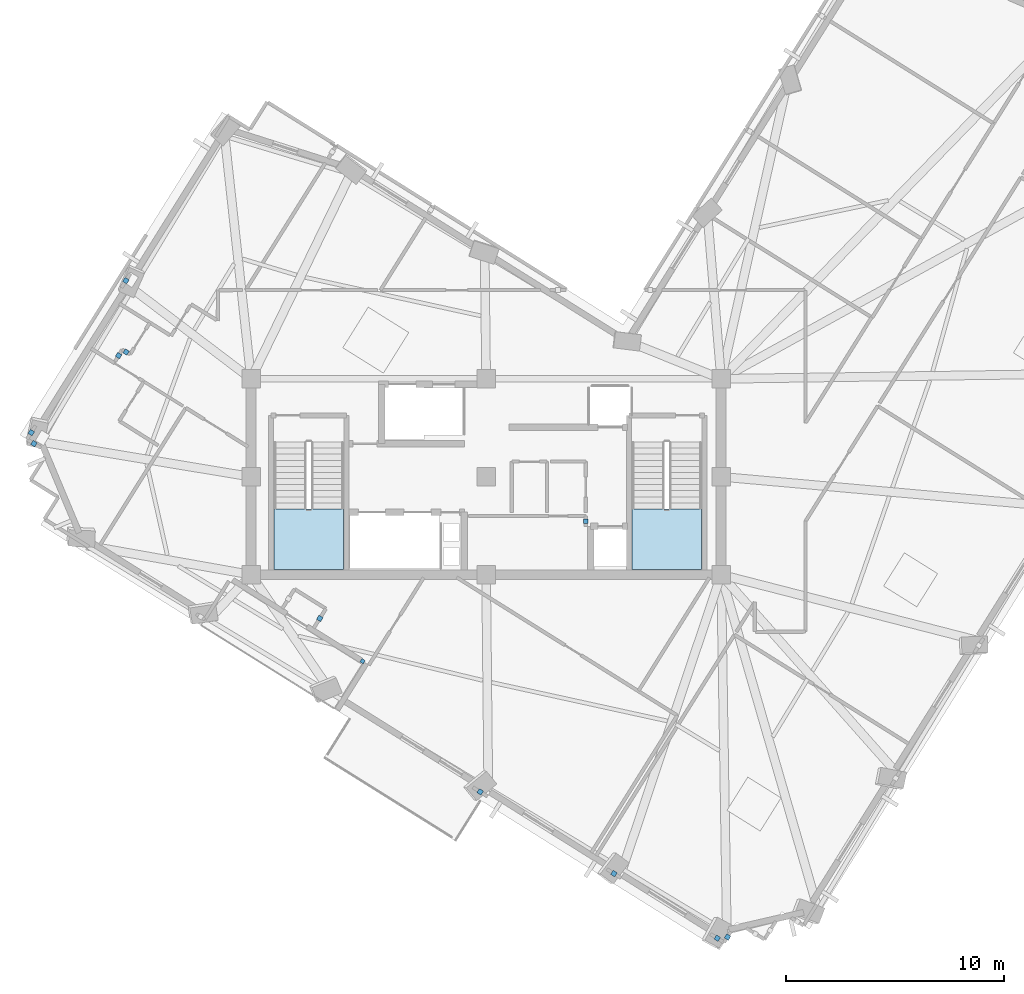
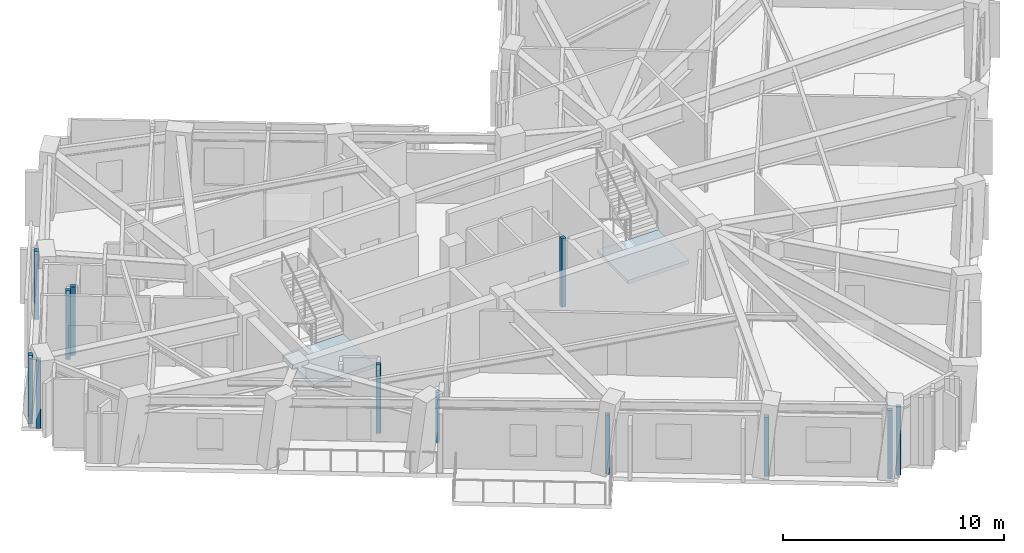
# One storey, part 3 of 12: 12 plates, 2 slabs, 2 elements without a shape of their own.
"""IFC4 building model written with IfcOpenShell, lengths in metres."""

from ifc_helpers import new_model, si_unit, direction, frame, origin, origin_2d, place, context, subcontext, project, spatial, polyline, rectangle, outline, extrude, material, layer, layer_set, type_object, element, aggregate, save


model = new_model("IFC4")

# Units and contexts
model_context = context("Model", 3, precision=1e-05, world=origin(), true_north=direction((0.0, 1.0)))
body_context = subcontext(model_context, "Body", "Model", "MODEL_VIEW")
ifc_project = project(units=[si_unit("LENGTHUNIT", "METRE"), si_unit("AREAUNIT", "SQUARE_METRE"), si_unit("VOLUMEUNIT", "CUBIC_METRE"), si_unit("PLANEANGLEUNIT", "RADIAN"), si_unit("MASSUNIT", "GRAM", prefix="KILO")], contexts=[model_context])

# Site, building, storey
site_placement = place(None, origin())
site = spatial("IfcSite", under=ifc_project, at=site_placement, CompositionType="ELEMENT")
building_placement = place(site_placement, origin())
building = spatial("IfcBuilding", under=site, at=building_placement, Name="Gaonmaruhae Medical Tower", CompositionType="ELEMENT")
storey_placement = place(building_placement, frame((0.0, 0.0, 272.60009765625)))
storey = spatial("IfcBuildingStorey", under=building, at=storey_placement, Name="L65", CompositionType="ELEMENT", Elevation=272.60009765625)

# Plates
ifc_material_1 = material(Name="Anodised aluminium 6063-T6", Category="aluminium")
ifc_layer_1 = layer(ifc_material_1, 0.011962890625)
ifc_layer_set_1 = layer_set([ifc_layer_1], Name="Anodised aluminium 6063-T6")
plate_type = type_object("IfcPlateType", Name="PP-01 Interior Partition Corner Stiffener Plate", PredefinedType="SHEET", material=ifc_layer_set_1)
plate_placement = place(storey_placement, frame((19.123291015625, 3.825439453125, 0.0), z_axis=(0.0, 0.0, 1.0), x_axis=(-0.847585331506, 0.530659123936, 0.0)))
element("IfcPlate", 1, at=plate_placement, inside=storey, type_object=plate_type, Name="L65 Partition End Jamb Post Plate PLT-L65-ENDP-TERB-0", PredefinedType="SHEET", context=body_context, shape_type="SweptSolid", body=[
    extrude(rectangle(XDim=0.179931640625, YDim=0.179931640625, at=origin_2d()), origin(), (0.0, 0.0, 1.0), 2.764892578125),
])
for number, where, z_axis, x_axis, name in (
    (2, (29.3798828125, 10.260009765625, 0.0), (0.0, 0.0, 1.0), (0.0, -1.0, 0.0), "L65 Partition Corner Stiffener Plate PLT-L65-JGP-PW002"),
    (3, (35.89208984375, -8.8515625, 0.0), (0.0, 0.0, 1.0), (-0.531679466562, -0.846945656365, 0.0), "L65 Partition Corner Stiffener Plate PLT-L65-JGP-PW009"),
    (4, (35.423583984375, -8.904541015625, 0.0), (0.0, 0.0, 1.0), (-0.847770514843, 0.530363228518, 0.0), "L65 Partition Corner Stiffener Plate PLT-L65-JGP-PW010"),
):
    element("IfcPlate", number, at=place(storey_placement, frame(where, z_axis=z_axis, x_axis=x_axis)), inside=storey, type_object=plate_type, Name=name, PredefinedType="SHEET", context=body_context, shape_type="SweptSolid", body=[
        extrude(rectangle(XDim=0.219970703125, YDim=0.219970703125, at=origin_2d()), origin(), (0.0, 0.0, 1.0), 3.780029296875),
    ])
for number, where, z_axis, x_axis, name in (
    (5, (30.673095703125, -5.930908203125, 0.0), (0.0, 0.0, 1.0), (-0.847853813644, 0.530230054494, 0.0), "L65 Partition Corner Stiffener Plate PLT-L65-JGP-PW011"),
    (6, (24.528076171875, -2.177978515625, 0.0), (0.0, 0.0, 1.0), (-0.847714970687, 0.53045200393, 0.0), "L65 Partition Corner Stiffener Plate PLT-L65-JGP-PW037"),
):
    element("IfcPlate", number, at=place(storey_placement, frame(where, z_axis=z_axis, x_axis=x_axis)), inside=storey, type_object=plate_type, Name=name, PredefinedType="SHEET", context=body_context, shape_type="SweptSolid", body=[
        extrude(rectangle(XDim=0.219970703125, YDim=0.219970703125, at=origin_2d()), origin(), (0.0, 0.0, 1.0), 3.264892578125),
    ])
for number, where, z_axis, x_axis, name in (
    (7, (17.156982421875, 5.791015625, 0.0), (0.0, 0.0, 1.0), (0.530851421286, 0.847464906954, 0.0), "L65 Partition Corner Stiffener Plate PLT-L65-JGP-PW040"),
    (8, (4.021484375, 13.822998046875, 0.0), (0.0, 0.0, 1.0), (-0.847325901336, 0.531073268885, 0.0), "L65 Partition Corner Stiffener Plate PLT-L65-JGP-PW047"),
    (9, (3.89794921875, 14.33203125, 0.0), (0.0, 0.0, 1.0), (0.530496389455, 0.847687195123, 0.0), "L65 Partition Corner Stiffener Plate PLT-L65-JGP-PW048"),
    (10, (8.24560546875, 21.3134765625, 0.0), (0.0, 0.0, 1.0), (0.531324652161, 0.847168291431, 0.0), "L65 Partition Corner Stiffener Plate PLT-L65-JGP-PW076"),
    (11, (7.91259765625, 17.87109375, 0.0), (0.0, 0.0, 1.0), (-0.515666272926, -0.856789527811, 0.0), "L65 Partition Corner Stiffener Plate PLT-L65-JGP-PW083"),
    (12, (8.256103515625, 18.032958984375, 0.0), (0.0, 0.0, 1.0), (-0.858745337567, 0.512402620219, 0.0), "L65 Partition Corner Stiffener Plate PLT-L65-JGP-PW086"),
):
    element("IfcPlate", number, at=place(storey_placement, frame(where, z_axis=z_axis, x_axis=x_axis)), inside=storey, type_object=plate_type, Name=name, PredefinedType="SHEET", context=body_context, shape_type="SweptSolid", body=[
        extrude(rectangle(XDim=0.219970703125, YDim=0.219970703125, at=origin_2d()), origin(), (0.0, 0.0, 1.0), 3.780029296875),
    ])

# Stair, slab
ifc_material_2 = material(Name="Concrete C40/50", Category="concrete")
stair_type = type_object("IfcStairType", Name="ST-T1 Primary Core Escape Dogleg Stair", PredefinedType="TWO_QUARTER_TURN_STAIR", material=ifc_material_2)
stair_1_placement = place(storey_placement, origin())
stair_1 = element("IfcStair", 13, at=stair_1_placement, inside=storey, type_object=stair_type, Name="L65 Protected Escape Stair ST-01", PredefinedType="TWO_QUARTER_TURN_STAIR")
ifc_layer_2 = layer(ifc_material_2, 0.199951171875)
ifc_layer_set_2 = layer_set([ifc_layer_2], Name="Concrete C40/50")
slab_type = type_object("IfcSlabType", Name="SL-200 Stair & Ramp Intermediate Concrete Landing", PredefinedType="LANDING", material=ifc_layer_set_2)
slab_1_placement = place(storey_placement, frame((0.0, 0.0, 1.7998046875)))
slab_1 = element("IfcSlab", 14, at=slab_1_placement, type_object=slab_type, Name="ST-01 landing 1", PredefinedType="LANDING", context=body_context, shape_type="SweptSolid", body=[
    extrude(outline(polyline([(15.050048828125, 10.820068359375), (15.050048828125, 8.029052734375), (18.25, 8.029052734375), (18.25, 10.820068359375), (15.050048828125, 10.820068359375)])), origin(), (0.0, 0.0, 1.0), 0.2001953125),
])
aggregate(stair_1, [slab_1])

stair_2_placement = place(storey_placement, origin())
stair_2 = element("IfcStair", 15, at=stair_2_placement, inside=storey, type_object=stair_type, Name="L65 Protected Escape Stair ST-02", PredefinedType="TWO_QUARTER_TURN_STAIR")
slab_2_placement = place(storey_placement, frame((0.0, 0.0, 1.7998046875)))
slab_2 = element("IfcSlab", 16, at=slab_2_placement, type_object=slab_type, Name="ST-02 landing 1", PredefinedType="LANDING", context=body_context, shape_type="SweptSolid", body=[
    extrude(outline(polyline([(31.5, 10.820068359375), (31.5, 8.029052734375), (34.699951171875, 8.029052734375), (34.699951171875, 10.820068359375), (31.5, 10.820068359375)])), origin(), (0.0, 0.0, 1.0), 0.2001953125),
])
aggregate(stair_2, [slab_2])

save(model, "model.ifc")
